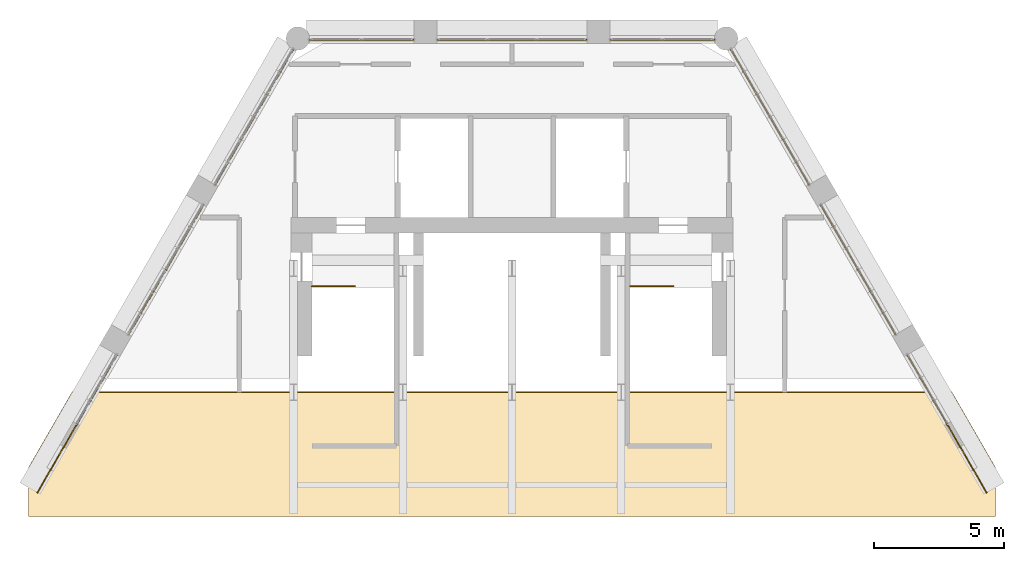
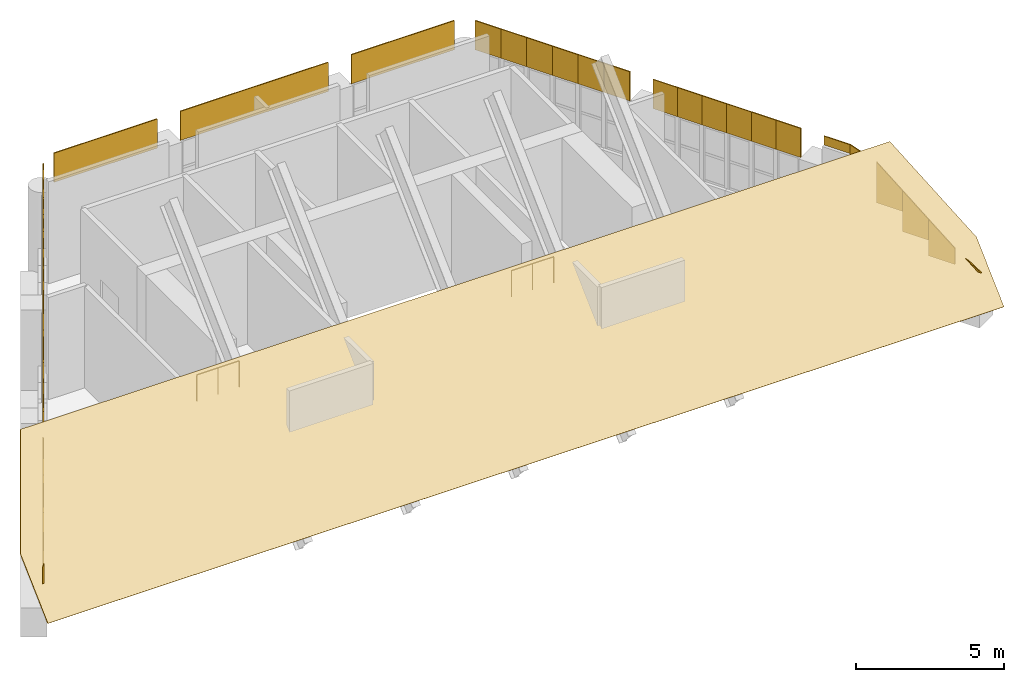
# One storey, part 16 of 16: 40 coverings, 2 railings.
"""IFC4 building model written with IfcOpenShell, lengths in metres."""

from ifc_helpers import new_model, si_unit, direction, frame, origin, origin_2d, place, context, subcontext, project, spatial, polyline, circle, outline, extrude, material, layer, layer_set, type_object, element, save


model = new_model("IFC4")

# Units and contexts
model_context = context("Model", 3, precision=1e-05, world=origin(), true_north=direction((0.0, 1.0)))
body_context = subcontext(model_context, "Body", "Model", "MODEL_VIEW")
ifc_project = project(units=[si_unit("LENGTHUNIT", "METRE"), si_unit("AREAUNIT", "SQUARE_METRE"), si_unit("VOLUMEUNIT", "CUBIC_METRE"), si_unit("PLANEANGLEUNIT", "RADIAN"), si_unit("MASSUNIT", "GRAM", prefix="KILO")], contexts=[model_context])

# Site, building, storey
site_placement = place(None, origin())
site = spatial("IfcSite", under=ifc_project, at=site_placement, CompositionType="ELEMENT")
building_placement = place(site_placement, origin())
building = spatial("IfcBuilding", under=site, at=building_placement, Name="Ostrander Bayou Hotel Tower", CompositionType="ELEMENT")
storey_placement = place(building_placement, frame((0.0, 0.0, 288.5)))
storey = spatial("IfcBuildingStorey", under=building, at=storey_placement, Name="L71", CompositionType="ELEMENT", Elevation=288.5)

# Coverings
ifc_material_1 = material(Name="Reconstituted stone panels", Category="masonry")
ifc_layer = layer(ifc_material_1, 0.0400390625)
ifc_layer_set = layer_set([ifc_layer], Name="CV3 crown cladding 40 mm")
covering_type = type_object("IfcCoveringType", Name="CV3 crown cladding 40 mm", PredefinedType="CLADDING", material=ifc_layer_set)
covering_1_placement = place(storey_placement, frame((18.61572265625, 0.04345703125, 1.786376953125), z_axis=(0.0, -0.685643334826, 0.727937646649), x_axis=(0.0, -0.727937646649, -0.685643334826)))
element("IfcCovering", 1, at=covering_1_placement, inside=storey, type_object=covering_type, Name="CV3 crown cladding L71", PredefinedType="CLADDING", context=body_context, shape_type="SweptSolid", body=[
    extrude(outline(polyline([(0.0, 0.0), (2.546964175454548, 0.0), (2.546964175454548, -37.2314453125), (0.0, -37.2314453125), (-4.01621691702211, -35.543701171875), (-4.01621691702211, -1.687744140625), (0.0, 0.0)])), origin(), (0.0, 0.0, -1.0), 0.0400390625),
])
covering_2_placement = place(storey_placement, frame((7.7958984375, 16.550048828125, 3.300048828125), z_axis=(0.0, 1.0, 0.0), x_axis=(-1.0, 0.0, 0.0)))
element("IfcCovering", 2, at=covering_2_placement, inside=storey, type_object=covering_type, Name="CV3 crown fascia L71", PredefinedType="CLADDING", context=body_context, shape_type="SweptSolid", body=[
    extrude(outline(polyline([(0.0, 0.0), (4.0166015625, 0.0), (4.0166015625, 1.199951171875), (0.0, 1.199951171875), (0.0, 0.0)])), origin(), (0.0, 0.0, -1.0), 0.0400390625),
])
covering_3_placement = place(storey_placement, frame((2.87939453125, 16.550048828125, 3.300048828125), z_axis=(0.0, 1.0, 0.0), x_axis=(-1.0, 0.0, 0.0)))
element("IfcCovering", 3, at=covering_3_placement, inside=storey, type_object=covering_type, Name="CV3 crown fascia L71", PredefinedType="CLADDING", context=body_context, shape_type="SweptSolid", body=[
    extrude(outline(polyline([(0.0, 0.0), (5.7587890625, 0.0), (5.7587890625, 1.199951171875), (0.0, 1.199951171875), (0.0, 0.0)])), origin(), (0.0, 0.0, -1.0), 0.0400390625),
])
covering_4_placement = place(storey_placement, frame((-3.779296875, 16.550048828125, 3.300048828125), z_axis=(0.0, 1.0, 0.0), x_axis=(-1.0, 0.0, 0.0)))
element("IfcCovering", 4, at=covering_4_placement, inside=storey, type_object=covering_type, Name="CV3 crown fascia L71", PredefinedType="CLADDING", context=body_context, shape_type="SweptSolid", body=[
    extrude(outline(polyline([(0.0, 0.0), (4.0166015625, 0.0), (4.0166015625, 1.199951171875), (0.0, 1.199951171875), (0.0, 0.0)])), origin(), (0.0, 0.0, -1.0), 0.0400390625),
])
covering_5_placement = place(storey_placement, frame((-8.431884765625, 16.182373046875, 3.300048828125), z_axis=(-0.865942374699, 0.500143783026, 0.0), x_axis=(-0.500143783026, -0.865942374699, 0.0)))
element("IfcCovering", 5, at=covering_5_placement, inside=storey, type_object=covering_type, Name="CV3 crown fascia L71", PredefinedType="CLADDING", context=body_context, shape_type="SweptSolid", body=[
    extrude(outline(polyline([(0.0, 0.0), (1.0031295027587228, 0.0), (1.0031295027587228, 1.1999511718750002), (0.0, 1.1999511718750002), (0.0, 0.0)])), origin(), (0.0, 0.0, -1.0), 0.0400390625),
])
covering_6_placement = place(storey_placement, frame((-8.93359375, 15.313720703125, 3.300048828125), z_axis=(-0.8660032352, 0.500038395149, 0.0), x_axis=(-0.500038395149, -0.8660032352, 0.0)))
element("IfcCovering", 6, at=covering_6_placement, inside=storey, type_object=covering_type, Name="CV3 crown fascia L71", PredefinedType="CLADDING", context=body_context, shape_type="SweptSolid", body=[
    extrude(outline(polyline([(0.0, 0.0), (1.003340921901339, 0.0), (1.003340921901339, 1.199951171875), (0.0, 1.199951171875), (0.0, 0.0)])), origin(), (0.0, 0.0, -1.0), 0.0400390625),
])
covering_7_placement = place(storey_placement, frame((-9.435302734375, 14.44482421875, 3.300048828125), z_axis=(-0.866047774678, 0.499961250474, 0.0), x_axis=(-0.499961250474, -0.866047774678, 0.0)))
element("IfcCovering", 7, at=covering_7_placement, inside=storey, type_object=covering_type, Name="CV3 crown fascia L71", PredefinedType="CLADDING", context=body_context, shape_type="SweptSolid", body=[
    extrude(outline(polyline([(0.0, 0.0), (1.0030074196233945, 0.0), (1.0030074196233945, 1.199951171875), (0.0, 1.199951171875), (0.0, 0.0)])), origin(), (0.0, 0.0, -1.0), 0.0400390625),
])
covering_8_placement = place(storey_placement, frame((-9.936767578125, 13.576171875, 3.300048828125), z_axis=(-0.866108598161, 0.499855875421, 0.0), x_axis=(-0.499855875421, -0.866108598161, 0.0)))
element("IfcCovering", 8, at=covering_8_placement, inside=storey, type_object=covering_type, Name="CV3 crown fascia L71", PredefinedType="CLADDING", context=body_context, shape_type="SweptSolid", body=[
    extrude(outline(polyline([(0.0, 0.0), (1.0032188644939084, 0.0), (1.0032188644939084, 1.1999511718750002), (0.0, 1.1999511718750002), (0.0, 0.0)])), origin(), (0.0, 0.0, -1.0), 0.0400390625),
])
covering_9_placement = place(storey_placement, frame((-10.438232421875, 12.707275390625, 3.300048828125), z_axis=(-0.865942374699, 0.500143783026, 0.0), x_axis=(-0.500143783026, -0.865942374699, 0.0)))
element("IfcCovering", 9, at=covering_9_placement, inside=storey, type_object=covering_type, Name="CV3 crown fascia L71", PredefinedType="CLADDING", context=body_context, shape_type="SweptSolid", body=[
    extrude(outline(polyline([(0.0, 0.0), (1.0031295027587228, 0.0), (1.0031295027587228, 1.1999511718750002), (0.0, 1.1999511718750002), (0.0, 0.0)])), origin(), (0.0, 0.0, -1.0), 0.0400390625),
])
covering_10_placement = place(storey_placement, frame((-10.93994140625, 11.838623046875, 3.300048828125), z_axis=(-0.866108598161, 0.499855875421, 0.0), x_axis=(-0.499855875421, -0.866108598161, 0.0)))
element("IfcCovering", 10, at=covering_10_placement, inside=storey, type_object=covering_type, Name="CV3 crown fascia L71", PredefinedType="CLADDING", context=body_context, shape_type="SweptSolid", body=[
    extrude(outline(polyline([(0.0, 0.0), (1.0032188644939084, 0.0), (1.0032188644939084, 1.1999511718750002), (0.0, 1.1999511718750002), (0.0, 0.0)])), origin(), (0.0, 0.0, -1.0), 0.0400390625),
])
covering_11_placement = place(storey_placement, frame((-11.8916015625, 10.1904296875, 3.300048828125), z_axis=(-0.866122057702, 0.499832553123, 0.0), x_axis=(-0.499832553123, -0.866122057702, 0.0)))
element("IfcCovering", 11, at=covering_11_placement, inside=storey, type_object=covering_type, Name="CV3 crown fascia L71", PredefinedType="CLADDING", context=body_context, shape_type="SweptSolid", body=[
    extrude(outline(polyline([(0.0, 0.0), (0.9597940852937448, 0.0), (0.9597940852937448, 1.199951171875), (0.0, 1.199951171875), (0.0, 0.0)])), origin(), (0.0, 0.0, -1.0), 0.0400390625),
])
covering_12_placement = place(storey_placement, frame((-12.371337890625, 9.359130859375, 3.300048828125), z_axis=(-0.865948320045, 0.500133489192, 0.0), x_axis=(-0.500133489192, -0.865948320045, 0.0)))
element("IfcCovering", 12, at=covering_12_placement, inside=storey, type_object=covering_type, Name="CV3 crown fascia L71", PredefinedType="CLADDING", context=body_context, shape_type="SweptSolid", body=[
    extrude(outline(polyline([(0.0, 0.0), (0.9597047170860381, 0.0), (0.9597047170860381, 1.199951171875), (0.0, 1.199951171875), (0.0, 0.0)])), origin(), (0.0, 0.0, -1.0), 0.0400390625),
])
covering_13_placement = place(storey_placement, frame((-12.851318359375, 8.528076171875, 3.300048828125), z_axis=(-0.866011930837, 0.500023335103, 0.0), x_axis=(-0.500023335103, -0.866011930837, 0.0)))
element("IfcCovering", 13, at=covering_13_placement, inside=storey, type_object=covering_type, Name="CV3 crown fascia L71", PredefinedType="CLADDING", context=body_context, shape_type="SweptSolid", body=[
    extrude(outline(polyline([(0.0, 0.0), (0.9599161380159561, 0.0), (0.9599161380159561, 1.199951171875), (0.0, 1.199951171875), (0.0, 0.0)])), origin(), (0.0, 0.0, -1.0), 0.0400390625),
])
covering_14_placement = place(storey_placement, frame((-13.331298828125, 7.69677734375, 3.300048828125), z_axis=(-0.866122057702, 0.499832553123, 0.0), x_axis=(-0.499832553123, -0.866122057702, 0.0)))
element("IfcCovering", 14, at=covering_14_placement, inside=storey, type_object=covering_type, Name="CV3 crown fascia L71", PredefinedType="CLADDING", context=body_context, shape_type="SweptSolid", body=[
    extrude(outline(polyline([(0.0, 0.0), (0.9597940852937448, 0.0), (0.9597940852937448, 1.199951171875), (0.0, 1.199951171875), (0.0, 0.0)])), origin(), (0.0, 0.0, -1.0), 0.0400390625),
])
covering_15_placement = place(storey_placement, frame((-13.81103515625, 6.865478515625, 3.300048828125), z_axis=(-0.866011930837, 0.500023335103, 0.0), x_axis=(-0.500023335103, -0.866011930837, 0.0)))
element("IfcCovering", 15, at=covering_15_placement, inside=storey, type_object=covering_type, Name="CV3 crown fascia L71", PredefinedType="CLADDING", context=body_context, shape_type="SweptSolid", body=[
    extrude(outline(polyline([(0.0, 0.0), (0.9599161380159561, 0.0), (0.9599161380159561, 1.199951171875), (0.0, 1.199951171875), (0.0, 0.0)])), origin(), (0.0, 0.0, -1.0), 0.0400390625),
])
covering_16_placement = place(storey_placement, frame((-14.291015625, 6.0341796875, 3.300048828125), z_axis=(-0.865948320045, 0.500133489192, 0.0), x_axis=(-0.500133489192, -0.865948320045, 0.0)))
element("IfcCovering", 16, at=covering_16_placement, inside=storey, type_object=covering_type, Name="CV3 crown fascia L71", PredefinedType="CLADDING", context=body_context, shape_type="SweptSolid", body=[
    extrude(outline(polyline([(0.0, 0.0), (0.9597047170860381, 0.0), (0.9597047170860381, 1.199951171875), (0.0, 1.199951171875), (0.0, 0.0)])), origin(), (0.0, 0.0, -1.0), 0.0400390625),
])
covering_17_placement = place(storey_placement, frame((-15.220947265625, 4.423583984375, 4.138671875), z_axis=(-0.865998494583, 0.500046605208, 0.0), x_axis=(-0.500046605208, -0.865998494583, 0.0)))
element("IfcCovering", 17, at=covering_17_placement, inside=storey, type_object=covering_type, Name="CV3 crown fascia L71", PredefinedType="CLADDING", context=body_context, shape_type="SweptSolid", body=[
    extrude(outline(polyline([(0.0, 0.0), (1.0213891708909189, 0.0), (1.0213891708909189, 0.361328125), (0.0, 0.361328125), (0.0, 0.0)])), origin(), (0.0, 0.0, -1.0), 0.0400390625),
])
covering_18_placement = place(storey_placement, frame((-15.731689453125, 3.5390625, 3.305419921875), z_axis=(-0.866058244174, 0.499943114462, 0.0), x_axis=(-0.499943114462, -0.866058244174, 0.0)))
element("IfcCovering", 18, at=covering_18_placement, inside=storey, type_object=covering_type, Name="CV3 crown fascia L71", PredefinedType="CLADDING", context=body_context, shape_type="SweptSolid", body=[
    extrude(outline(polyline([(0.0, 0.0), (1.0216006035990415, 0.0), (1.0216006035990415, 0.85009765625), (0.0, 1.194580078125), (0.0, 0.0)])), origin(), (0.0, 0.0, -1.0), 0.0400390625),
])
covering_19_placement = place(storey_placement, frame((-16.242431640625, 2.654296875, 2.47216796875), z_axis=(-0.866058244174, 0.499943114462, 0.0), x_axis=(-0.499943114462, -0.866058244174, 0.0)))
element("IfcCovering", 19, at=covering_19_placement, inside=storey, type_object=covering_type, Name="CV3 crown fascia L71", PredefinedType="CLADDING", context=body_context, shape_type="SweptSolid", body=[
    extrude(outline(polyline([(0.0, 0.0), (1.0216006035990415, 0.0), (1.0216006035990415, 0.8498535156249999), (0.0, 1.6833496093749998), (0.0, 0.0)])), origin(), (0.0, 0.0, -1.0), 0.0400390625),
])
covering_20_placement = place(storey_placement, frame((-16.753173828125, 1.76953125, 1.638916015625), z_axis=(-0.865998494583, 0.500046605208, 0.0), x_axis=(-0.500046605208, -0.865998494583, 0.0)))
element("IfcCovering", 20, at=covering_20_placement, inside=storey, type_object=covering_type, Name="CV3 crown fascia L71", PredefinedType="CLADDING", context=body_context, shape_type="SweptSolid", body=[
    extrude(outline(polyline([(0.0, 0.0), (1.0213891708909189, 0.0), (1.0213891708909189, 0.8498535156250002), (0.0, 1.6831054687500004), (0.0, 0.0)])), origin(), (0.0, 0.0, -1.0), 0.0400390625),
])
covering_21_placement = place(storey_placement, frame((-17.263916015625, 0.885009765625, 1.0), z_axis=(-0.865954765097, 0.500122329842, 0.0), x_axis=(-0.500122329842, -0.865954765097, 0.0)))
element("IfcCovering", 21, at=covering_21_placement, inside=storey, type_object=covering_type, Name="CV3 crown fascia L71", PredefinedType="CLADDING", context=body_context, shape_type="SweptSolid", body=[
    extrude(outline(polyline([(0.0, 0.0), (1.0217226819016552, 0.0), (1.0217226819016552, 0.6555175781249999), (0.0, 1.4887695312499998), (0.0, 0.0)])), origin(), (0.0, 0.0, -1.0), 0.0400390625),
])
covering_22_placement = place(storey_placement, frame((-17.77490234375, 0.000244140625, 1.0), z_axis=(-0.866058244174, 0.499943114462, 0.0), x_axis=(-0.499943114462, -0.866058244174, 0.0)))
element("IfcCovering", 22, at=covering_22_placement, inside=storey, type_object=covering_type, Name="CV3 crown fascia L71", PredefinedType="CLADDING", context=body_context, shape_type="SweptSolid", body=[
    extrude(outline(polyline([(0.0, 0.0), (1.0216006035990415, 0.0), (0.0, 0.6555175781249999), (0.0, 0.0)])), origin(), (0.0, 0.0, -1.0), 0.0400390625),
])
covering_23_placement = place(storey_placement, frame((18.28564453125, -0.884521484375, 1.0), z_axis=(0.866058244174, 0.499943114462, 0.0), x_axis=(-0.499943114462, 0.866058244174, 0.0)))
element("IfcCovering", 23, at=covering_23_placement, inside=storey, type_object=covering_type, Name="CV3 crown fascia L71", PredefinedType="CLADDING", context=body_context, shape_type="SweptSolid", body=[
    extrude(outline(polyline([(0.0, 0.0), (1.0216006035990415, 0.0), (1.0216006035990415, 0.6555175781249999), (0.0, 0.0), (0.0, 0.0)])), origin(), (0.0, 0.0, -1.0), 0.0400390625),
])
covering_24_placement = place(storey_placement, frame((17.77490234375, 0.000244140625, 1.0), z_axis=(0.865954765097, 0.500122329842, 0.0), x_axis=(-0.500122329842, 0.865954765097, 0.0)))
element("IfcCovering", 24, at=covering_24_placement, inside=storey, type_object=covering_type, Name="CV3 crown fascia L71", PredefinedType="CLADDING", context=body_context, shape_type="SweptSolid", body=[
    extrude(outline(polyline([(0.0, 0.0), (1.0217226819016552, 0.0), (1.0217226819016552, 1.4887695312499998), (0.0, 0.6555175781249999), (0.0, 0.0)])), origin(), (0.0, 0.0, -1.0), 0.0400390625),
])
covering_25_placement = place(storey_placement, frame((17.263916015625, 0.885009765625, 1.638916015625), z_axis=(0.865998494583, 0.500046605208, 0.0), x_axis=(-0.500046605208, 0.865998494583, 0.0)))
element("IfcCovering", 25, at=covering_25_placement, inside=storey, type_object=covering_type, Name="CV3 crown fascia L71", PredefinedType="CLADDING", context=body_context, shape_type="SweptSolid", body=[
    extrude(outline(polyline([(0.0, 0.0), (1.0213891708909189, 0.0), (1.0213891708909189, 1.6831054687500004), (0.0, 0.8498535156250002), (0.0, 0.0)])), origin(), (0.0, 0.0, -1.0), 0.0400390625),
])
covering_26_placement = place(storey_placement, frame((16.753173828125, 1.76953125, 2.47216796875), z_axis=(0.866058244174, 0.499943114462, 0.0), x_axis=(-0.499943114462, 0.866058244174, 0.0)))
element("IfcCovering", 26, at=covering_26_placement, inside=storey, type_object=covering_type, Name="CV3 crown fascia L71", PredefinedType="CLADDING", context=body_context, shape_type="SweptSolid", body=[
    extrude(outline(polyline([(0.0, 0.0), (1.0216006035990415, 0.0), (1.0216006035990415, 1.6833496093749998), (0.0, 0.8498535156249999), (0.0, 0.0)])), origin(), (0.0, 0.0, -1.0), 0.0400390625),
])
covering_27_placement = place(storey_placement, frame((16.242431640625, 2.654296875, 3.305419921875), z_axis=(0.866058244174, 0.499943114462, 0.0), x_axis=(-0.499943114462, 0.866058244174, 0.0)))
element("IfcCovering", 27, at=covering_27_placement, inside=storey, type_object=covering_type, Name="CV3 crown fascia L71", PredefinedType="CLADDING", context=body_context, shape_type="SweptSolid", body=[
    extrude(outline(polyline([(0.0, 0.0), (1.0216006035990415, 0.0), (1.0216006035990415, 1.194580078125), (0.0, 0.85009765625), (0.0, 0.0)])), origin(), (0.0, 0.0, -1.0), 0.0400390625),
])
covering_28_placement = place(storey_placement, frame((15.731689453125, 3.5390625, 4.138671875), z_axis=(0.865998494583, 0.500046605208, 0.0), x_axis=(-0.500046605208, 0.865998494583, 0.0)))
element("IfcCovering", 28, at=covering_28_placement, inside=storey, type_object=covering_type, Name="CV3 crown fascia L71", PredefinedType="CLADDING", context=body_context, shape_type="SweptSolid", body=[
    extrude(outline(polyline([(0.0, 0.0), (1.0213891708909189, 0.0), (1.0213891708909189, 0.361328125), (0.0, 0.361328125), (0.0, 0.0)])), origin(), (0.0, 0.0, -1.0), 0.0400390625),
])
covering_29_placement = place(storey_placement, frame((14.77099609375, 5.203125, 3.300048828125), z_axis=(0.865948320045, 0.500133489192, 0.0), x_axis=(-0.500133489192, 0.865948320045, 0.0)))
element("IfcCovering", 29, at=covering_29_placement, inside=storey, type_object=covering_type, Name="CV3 crown fascia L71", PredefinedType="CLADDING", context=body_context, shape_type="SweptSolid", body=[
    extrude(outline(polyline([(0.0, 0.0), (0.9597047170860381, 0.0), (0.9597047170860381, 1.199951171875), (0.0, 1.199951171875), (0.0, 0.0)])), origin(), (0.0, 0.0, -1.0), 0.0400390625),
])
covering_30_placement = place(storey_placement, frame((14.291015625, 6.0341796875, 3.300048828125), z_axis=(0.866011930837, 0.500023335103, 0.0), x_axis=(-0.500023335103, 0.866011930837, 0.0)))
element("IfcCovering", 30, at=covering_30_placement, inside=storey, type_object=covering_type, Name="CV3 crown fascia L71", PredefinedType="CLADDING", context=body_context, shape_type="SweptSolid", body=[
    extrude(outline(polyline([(0.0, 0.0), (0.9599161380159561, 0.0), (0.9599161380159561, 1.199951171875), (0.0, 1.199951171875), (0.0, 0.0)])), origin(), (0.0, 0.0, -1.0), 0.0400390625),
])
covering_31_placement = place(storey_placement, frame((13.81103515625, 6.865478515625, 3.300048828125), z_axis=(0.866122057702, 0.499832553123, 0.0), x_axis=(-0.499832553123, 0.866122057702, 0.0)))
element("IfcCovering", 31, at=covering_31_placement, inside=storey, type_object=covering_type, Name="CV3 crown fascia L71", PredefinedType="CLADDING", context=body_context, shape_type="SweptSolid", body=[
    extrude(outline(polyline([(0.0, 0.0), (0.9597940852937448, 0.0), (0.9597940852937448, 1.199951171875), (0.0, 1.199951171875), (0.0, 0.0)])), origin(), (0.0, 0.0, -1.0), 0.0400390625),
])
covering_32_placement = place(storey_placement, frame((13.331298828125, 7.69677734375, 3.300048828125), z_axis=(0.866011930837, 0.500023335103, 0.0), x_axis=(-0.500023335103, 0.866011930837, 0.0)))
element("IfcCovering", 32, at=covering_32_placement, inside=storey, type_object=covering_type, Name="CV3 crown fascia L71", PredefinedType="CLADDING", context=body_context, shape_type="SweptSolid", body=[
    extrude(outline(polyline([(0.0, 0.0), (0.9599161380159561, 0.0), (0.9599161380159561, 1.199951171875), (0.0, 1.199951171875), (0.0, 0.0)])), origin(), (0.0, 0.0, -1.0), 0.0400390625),
])
covering_33_placement = place(storey_placement, frame((12.851318359375, 8.528076171875, 3.300048828125), z_axis=(0.865948320045, 0.500133489192, 0.0), x_axis=(-0.500133489192, 0.865948320045, 0.0)))
element("IfcCovering", 33, at=covering_33_placement, inside=storey, type_object=covering_type, Name="CV3 crown fascia L71", PredefinedType="CLADDING", context=body_context, shape_type="SweptSolid", body=[
    extrude(outline(polyline([(0.0, 0.0), (0.9597047170860381, 0.0), (0.9597047170860381, 1.199951171875), (0.0, 1.199951171875), (0.0, 0.0)])), origin(), (0.0, 0.0, -1.0), 0.0400390625),
])
covering_34_placement = place(storey_placement, frame((12.371337890625, 9.359130859375, 3.300048828125), z_axis=(0.866122057702, 0.499832553123, 0.0), x_axis=(-0.499832553123, 0.866122057702, 0.0)))
element("IfcCovering", 34, at=covering_34_placement, inside=storey, type_object=covering_type, Name="CV3 crown fascia L71", PredefinedType="CLADDING", context=body_context, shape_type="SweptSolid", body=[
    extrude(outline(polyline([(0.0, 0.0), (0.9597940852937448, 0.0), (0.9597940852937448, 1.199951171875), (0.0, 1.199951171875), (0.0, 0.0)])), origin(), (0.0, 0.0, -1.0), 0.0400390625),
])
covering_35_placement = place(storey_placement, frame((11.44140625, 10.9697265625, 3.300048828125), z_axis=(0.866108598161, 0.499855875421, 0.0), x_axis=(-0.499855875421, 0.866108598161, 0.0)))
element("IfcCovering", 35, at=covering_35_placement, inside=storey, type_object=covering_type, Name="CV3 crown fascia L71", PredefinedType="CLADDING", context=body_context, shape_type="SweptSolid", body=[
    extrude(outline(polyline([(0.0, 0.0), (1.0032188644939084, 0.0), (1.0032188644939084, 1.1999511718750002), (0.0, 1.1999511718750002), (0.0, 0.0)])), origin(), (0.0, 0.0, -1.0), 0.0400390625),
])
covering_36_placement = place(storey_placement, frame((10.93994140625, 11.838623046875, 3.300048828125), z_axis=(0.865942374699, 0.500143783026, 0.0), x_axis=(-0.500143783026, 0.865942374699, 0.0)))
element("IfcCovering", 36, at=covering_36_placement, inside=storey, type_object=covering_type, Name="CV3 crown fascia L71", PredefinedType="CLADDING", context=body_context, shape_type="SweptSolid", body=[
    extrude(outline(polyline([(0.0, 0.0), (1.0031295027587228, 0.0), (1.0031295027587228, 1.1999511718750002), (0.0, 1.1999511718750002), (0.0, 0.0)])), origin(), (0.0, 0.0, -1.0), 0.0400390625),
])
covering_37_placement = place(storey_placement, frame((10.438232421875, 12.707275390625, 3.300048828125), z_axis=(0.866108598161, 0.499855875421, 0.0), x_axis=(-0.499855875421, 0.866108598161, 0.0)))
element("IfcCovering", 37, at=covering_37_placement, inside=storey, type_object=covering_type, Name="CV3 crown fascia L71", PredefinedType="CLADDING", context=body_context, shape_type="SweptSolid", body=[
    extrude(outline(polyline([(0.0, 0.0), (1.0032188644939084, 0.0), (1.0032188644939084, 1.1999511718750002), (0.0, 1.1999511718750002), (0.0, 0.0)])), origin(), (0.0, 0.0, -1.0), 0.0400390625),
])
covering_38_placement = place(storey_placement, frame((9.936767578125, 13.576171875, 3.300048828125), z_axis=(0.866047774678, 0.499961250474, 0.0), x_axis=(-0.499961250474, 0.866047774678, 0.0)))
element("IfcCovering", 38, at=covering_38_placement, inside=storey, type_object=covering_type, Name="CV3 crown fascia L71", PredefinedType="CLADDING", context=body_context, shape_type="SweptSolid", body=[
    extrude(outline(polyline([(0.0, 0.0), (1.0030074196233945, 0.0), (1.0030074196233945, 1.199951171875), (0.0, 1.199951171875), (0.0, 0.0)])), origin(), (0.0, 0.0, -1.0), 0.0400390625),
])
covering_39_placement = place(storey_placement, frame((9.435302734375, 14.44482421875, 3.300048828125), z_axis=(0.8660032352, 0.500038395149, 0.0), x_axis=(-0.500038395149, 0.8660032352, 0.0)))
element("IfcCovering", 39, at=covering_39_placement, inside=storey, type_object=covering_type, Name="CV3 crown fascia L71", PredefinedType="CLADDING", context=body_context, shape_type="SweptSolid", body=[
    extrude(outline(polyline([(0.0, 0.0), (1.003340921901339, 0.0), (1.003340921901339, 1.199951171875), (0.0, 1.199951171875), (0.0, 0.0)])), origin(), (0.0, 0.0, -1.0), 0.0400390625),
])
covering_40_placement = place(storey_placement, frame((8.93359375, 15.313720703125, 3.300048828125), z_axis=(0.865942374699, 0.500143783026, 0.0), x_axis=(-0.500143783026, 0.865942374699, 0.0)))
element("IfcCovering", 40, at=covering_40_placement, inside=storey, type_object=covering_type, Name="CV3 crown fascia L71", PredefinedType="CLADDING", context=body_context, shape_type="SweptSolid", body=[
    extrude(outline(polyline([(0.0, 0.0), (1.0031295027587228, 0.0), (1.0031295027587228, 1.1999511718750002), (0.0, 1.1999511718750002), (0.0, 0.0)])), origin(), (0.0, 0.0, -1.0), 0.0400390625),
])

# Railings
ifc_material_2 = material(Name="Steel ASTM A500 Gr C", Category="steel")
railing_type = type_object("IfcRailingType", Name="GR1 stair guard 1100 mm steel", PredefinedType="GUARDRAIL", material=ifc_material_2)
for number, where, name in (
    (41, (-7.699951171875, 7.050048828125, 0.0), "L71 STA top well guard 1"),
    (42, (4.550048828125, 7.050048828125, 0.0), "L71 STB top well guard 1"),
):
    element("IfcRailing", number, at=place(storey_placement, frame(where)), inside=storey, type_object=railing_type, Name=name, PredefinedType="GUARDRAIL", context=body_context, shape_type="SweptSolid", body=[
        extrude(circle(Radius=0.02392578125, at=origin_2d()), frame((0.0, 0.0, 1.076171875), z_axis=(1.0, 0.0, 0.0), x_axis=(0.0, 1.0, 0.0)), (0.0, 0.0, 1.0), 1.64990234375),
        extrude(circle(Radius=0.02099609375, at=origin_2d()), origin(), (0.0, 0.0, 1.0), 1.052001953125),
        extrude(circle(Radius=0.02099609375, at=origin_2d()), frame((0.824951171875, 0.0, 0.0)), (0.0, 0.0, 1.0), 1.052001953125),
        extrude(circle(Radius=0.02099609375, at=origin_2d()), frame((1.64990234375, 0.0, 0.0)), (0.0, 0.0, 1.0), 1.052001953125),
    ])

save(model, "model.ifc")
